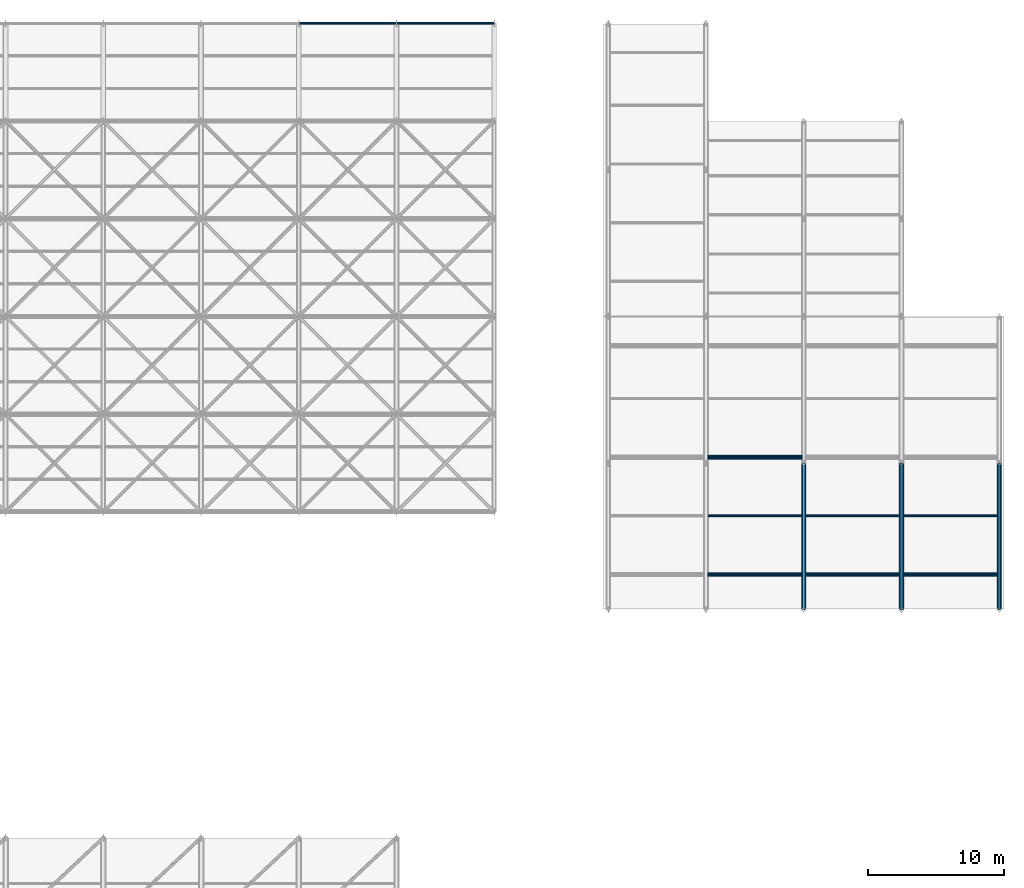
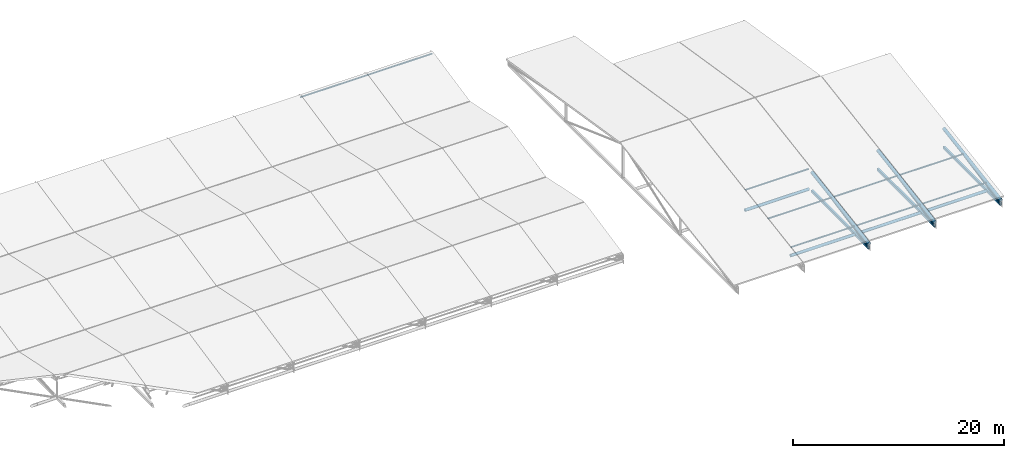
# One storey, part 40 of 72: 16 members, 6 beams.
"""IFC4 building model written with IfcOpenShell, lengths in metres."""

from ifc_helpers import new_model, si_unit, direction, frame, origin, origin_2d, place, context, subcontext, project, spatial, hollow_rectangle, hollow_circle, extrude, material, material_profile, profile_set, type_object, element, save


model = new_model("IFC4")

# Units and contexts
model_context = context("Model", 3, precision=1e-05, world=origin(), true_north=direction((0.0, 1.0)))
body_context = subcontext(model_context, "Body", "Model", "MODEL_VIEW")
ifc_project = project(units=[si_unit("LENGTHUNIT", "METRE"), si_unit("AREAUNIT", "SQUARE_METRE"), si_unit("VOLUMEUNIT", "CUBIC_METRE"), si_unit("PLANEANGLEUNIT", "RADIAN"), si_unit("MASSUNIT", "GRAM", prefix="KILO")], contexts=[model_context])

# Site, building, storey
site_placement = place(None, origin())
site = spatial("IfcSite", under=ifc_project, at=site_placement, CompositionType="ELEMENT")
building_placement = place(site_placement, origin())
building = spatial("IfcBuilding", under=site, at=building_placement, Name="Vaelcorin Mobility Hub", CompositionType="ELEMENT")
storey_placement = place(building_placement, frame((0.0, 0.0, 25.800048828125)))
storey = spatial("IfcBuildingStorey", under=building, at=storey_placement, Name="RF", CompositionType="ELEMENT", Elevation=25.800048828125)

# Members
ifc_material = material(Name="Steel ASTM A500 Grade C", Category="steel")
ifc_material_profile_1 = material_profile(ifc_material, hollow_circle(Radius=0.161865234375, WallThickness=0.0126953125, at=origin_2d()), Name="HSS12.750X0.500")
ifc_profile_set_1 = profile_set([ifc_material_profile_1], Name="Steel ASTM A500 Grade C")
member_type_1 = type_object("IfcMemberType", Name="SF-CHORD-12", PredefinedType="CHORD", material=ifc_profile_set_1)
for number, where, z_axis, x_axis, name in (
    (1, (130.89794921875, 79.39208984375, -4.199951171875), (1.0, 0.0, 0.0), (0.0, 1.0, 0.0), "V2E Drum Truss Tie Strut 2-1"),
    (2, (130.89794921875, 88.031982421875, -4.199951171875), (1.0, 0.0, 0.0), (0.0, 1.0, 0.0), "V2E Drum Truss Tie Strut 2-3"),
    (3, (138.097900390625, 79.39208984375, -4.199951171875), (1.0, 0.0, 0.0), (0.0, 1.0, 0.0), "V2E Drum Truss Tie Strut 3-1"),
):
    element("IfcMember", number, at=place(storey_placement, frame(where, z_axis=z_axis, x_axis=x_axis)), inside=storey, type_object=member_type_1, Name=name, PredefinedType="CHORD", context=body_context, shape_type="SweptSolid", body=[
        extrude(hollow_circle(Radius=0.161865234375, WallThickness=0.0126953125, at=origin_2d()), origin(), (0.0, 0.0, 1.0), 7.004150390625),
    ])
member_placement = place(storey_placement, frame((145.298095703125, 79.39208984375, -4.199951171875), z_axis=(1.0, 0.0, 0.0), x_axis=(0.0, 1.0, 0.0)))
element("IfcMember", 4, at=member_placement, inside=storey, type_object=member_type_1, Name="V2E Drum Truss Tie Strut 4-1", PredefinedType="CHORD", context=body_context, shape_type="SweptSolid", body=[
    extrude(hollow_circle(Radius=0.161865234375, WallThickness=0.0126953125, at=origin_2d()), origin(), (0.0, 0.0, 1.0), 7.00390625),
])
ifc_material_profile_2 = material_profile(ifc_material, hollow_circle(Radius=0.084228515625, WallThickness=0.0078125, at=origin_2d()), Name="HSS6.625X0.312")
ifc_profile_set_2 = profile_set([ifc_material_profile_2], Name="Steel ASTM A500 Grade C")
member_type_2 = type_object("IfcMemberType", Name="SF-PURL-6", PredefinedType="PURLIN", material=ifc_profile_set_2)
for number, where, z_axis, x_axis, name in (
    (5, (100.800048828125, 120.0, 0.0), (1.0, 0.0, 0.0), (0.0, 1.0, 0.0), "Sports Pavilion Roof Purlin 10-5"),
    (6, (108.0, 120.0, 0.0), (1.0, 0.0, 0.0), (0.0, 1.0, 0.0), "Sports Pavilion Roof Purlin 11-5"),
):
    element("IfcMember", number, at=place(storey_placement, frame(where, z_axis=z_axis, x_axis=x_axis)), inside=storey, type_object=member_type_2, Name=name, PredefinedType="PURLIN", context=body_context, shape_type="SweptSolid", body=[
        extrude(hollow_circle(Radius=0.084228515625, WallThickness=0.0078125, at=origin_2d()), origin(), (0.0, 0.0, 1.0), 7.199951171875),
    ])
for number, where, z_axis, x_axis, name in (
    (7, (130.93994140625, 79.39208984375, -3.24609375), (1.0, 0.0, 0.0), (0.0, 1.0, 0.0), "V2E Drum Roof Purlin 2-1-1"),
    (8, (130.93994140625, 83.7119140625, -2.554931640625), (1.0, 0.0, 0.0), (0.0, 1.0, 0.0), "V2E Drum Roof Purlin 2-1-2"),
    (9, (130.93994140625, 88.031982421875, -1.864013671875), (1.0, 0.0, 0.0), (0.0, 1.0, 0.0), "V2E Drum Roof Purlin 2-1-3"),
    (10, (138.139892578125, 79.39208984375, -3.24609375), (1.0, 0.0, 0.0), (0.0, 1.0, 0.0), "V2E Drum Roof Purlin 3-1-1"),
    (11, (138.139892578125, 83.7119140625, -2.554931640625), (1.0, 0.0, 0.0), (0.0, 1.0, 0.0), "V2E Drum Roof Purlin 3-1-2"),
):
    element("IfcMember", number, at=place(storey_placement, frame(where, z_axis=z_axis, x_axis=x_axis)), inside=storey, type_object=member_type_2, Name=name, PredefinedType="PURLIN", context=body_context, shape_type="SweptSolid", body=[
        extrude(hollow_circle(Radius=0.084228515625, WallThickness=0.0078125, at=origin_2d()), origin(), (0.0, 0.0, 1.0), 6.920166015625),
    ])
for number, where, z_axis, x_axis, name in (
    (12, (145.340087890625, 79.39208984375, -3.24609375), (1.0, 0.0, 0.0), (0.0, 1.0, 0.0), "V2E Drum Roof Purlin 4-1-1"),
    (13, (145.340087890625, 83.7119140625, -2.554931640625), (1.0, 0.0, 0.0), (0.0, 1.0, 0.0), "V2E Drum Roof Purlin 4-1-2"),
):
    element("IfcMember", number, at=place(storey_placement, frame(where, z_axis=z_axis, x_axis=x_axis)), inside=storey, type_object=member_type_2, Name=name, PredefinedType="PURLIN", context=body_context, shape_type="SweptSolid", body=[
        extrude(hollow_circle(Radius=0.084228515625, WallThickness=0.0078125, at=origin_2d()), origin(), (0.0, 0.0, 1.0), 6.919921875),
    ])

# Beams
ifc_material_profile_3 = material_profile(ifc_material, hollow_circle(Radius=0.177734375, WallThickness=0.0126953125, at=origin_2d()), Name="HSS14.000X0.500")
ifc_profile_set_3 = profile_set([ifc_material_profile_3], Name="Steel ASTM A500 Grade C")
beam_type_1 = type_object("IfcBeamType", Name="TR-CHORD-14", PredefinedType="BEAM", material=ifc_profile_set_3)
for number, where, z_axis, x_axis, name in (
    (14, (138.0, 76.800048828125, -3.756103515625), (0.0, 0.987440353331, 0.15799224226), (-1.0, 0.0, 0.0), "V2E Drum Roof Truss Upper Chord 3-1"),
    (15, (145.199951171875, 76.800048828125, -3.756103515625), (0.0, 0.987440353331, 0.15799224226), (-1.0, 0.0, 0.0), "V2E Drum Roof Truss Upper Chord 4-1"),
    (16, (152.39990234375, 76.800048828125, -3.756103515625), (0.0, 0.987440353331, 0.15799224226), (-1.0, 0.0, 0.0), "V2E Drum Roof Truss Upper Chord 5-1"),
):
    element("IfcBeam", number, at=place(storey_placement, frame(where, z_axis=z_axis, x_axis=x_axis)), inside=storey, type_object=beam_type_1, Name=name, PredefinedType="BEAM", context=body_context, shape_type="SweptSolid", body=[
        extrude(hollow_circle(Radius=0.177734375, WallThickness=0.0126953125, at=origin_2d()), origin(), (0.0, 0.0, 1.0), 10.9375),
    ])
ifc_material_profile_4 = material_profile(ifc_material, hollow_rectangle(XDim=0.203125, YDim=0.3046875, WallThickness=0.01171875, at=origin_2d()), Name="HSS12X8X0.500")
ifc_profile_set_4 = profile_set([ifc_material_profile_4], Name="Steel ASTM A500 Grade C")
beam_type_2 = type_object("IfcBeamType", Name="TR-CHORD-RHS12", PredefinedType="BEAM", material=ifc_profile_set_4)
for number, where, z_axis, x_axis, name in (
    (17, (138.0, 76.800048828125, -4.199951171875), (0.0, 1.0, 0.0), (-1.0, 0.0, 0.0), "V2E Drum Roof Truss Lower Chord 3-1"),
    (18, (145.199951171875, 76.800048828125, -4.199951171875), (0.0, 1.0, 0.0), (-1.0, 0.0, 0.0), "V2E Drum Roof Truss Lower Chord 4-1"),
    (19, (152.39990234375, 76.800048828125, -4.199951171875), (0.0, 1.0, 0.0), (-1.0, 0.0, 0.0), "V2E Drum Roof Truss Lower Chord 5-1"),
):
    element("IfcBeam", number, at=place(storey_placement, frame(where, z_axis=z_axis, x_axis=x_axis)), inside=storey, type_object=beam_type_2, Name=name, PredefinedType="BEAM", context=body_context, shape_type="SweptSolid", body=[
        extrude(hollow_rectangle(XDim=0.203125, YDim=0.3046875, WallThickness=0.01171875, at=origin_2d()), origin(), (0.0, 0.0, 1.0), 10.800048828125),
    ])

# Members
ifc_material_profile_5 = material_profile(ifc_material, hollow_circle(Radius=0.109619140625, WallThickness=0.009521484375, at=origin_2d()), Name="HSS8.625X0.375")
ifc_profile_set_5 = profile_set([ifc_material_profile_5], Name="Steel ASTM A500 Grade C")
member_type_3 = type_object("IfcMemberType", Name="TR-WEB-8", PredefinedType="BRACE", material=ifc_profile_set_5)
for number, where, z_axis, x_axis, name in (
    (20, (138.0, 76.800048828125, -4.199951171875), (0.0, 0.980373000896, 0.197151665257), (-1.0, 0.0, 0.0), "V2E Drum Roof Truss Web Diagonal 3-1"),
    (21, (145.199951171875, 76.800048828125, -4.199951171875), (0.0, 0.980373000896, 0.197151665257), (-1.0, 0.0, 0.0), "V2E Drum Roof Truss Web Diagonal 4-1"),
    (22, (152.39990234375, 76.800048828125, -4.199951171875), (0.0, 0.980373000896, 0.197151665257), (-1.0, 0.0, 0.0), "V2E Drum Roof Truss Web Diagonal 5-1"),
):
    element("IfcMember", number, at=place(storey_placement, frame(where, z_axis=z_axis, x_axis=x_axis)), inside=storey, type_object=member_type_3, Name=name, PredefinedType="BRACE", context=body_context, shape_type="SweptSolid", body=[
        extrude(hollow_circle(Radius=0.109619140625, WallThickness=0.009521484375, at=origin_2d()), origin(), (0.0, 0.0, 1.0), 11.016357421875),
    ])

save(model, "model.ifc")
